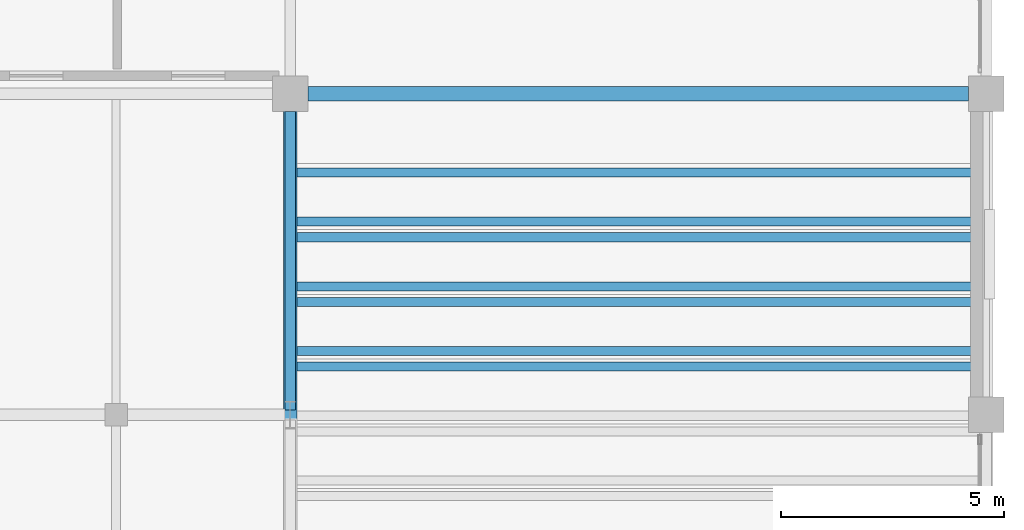
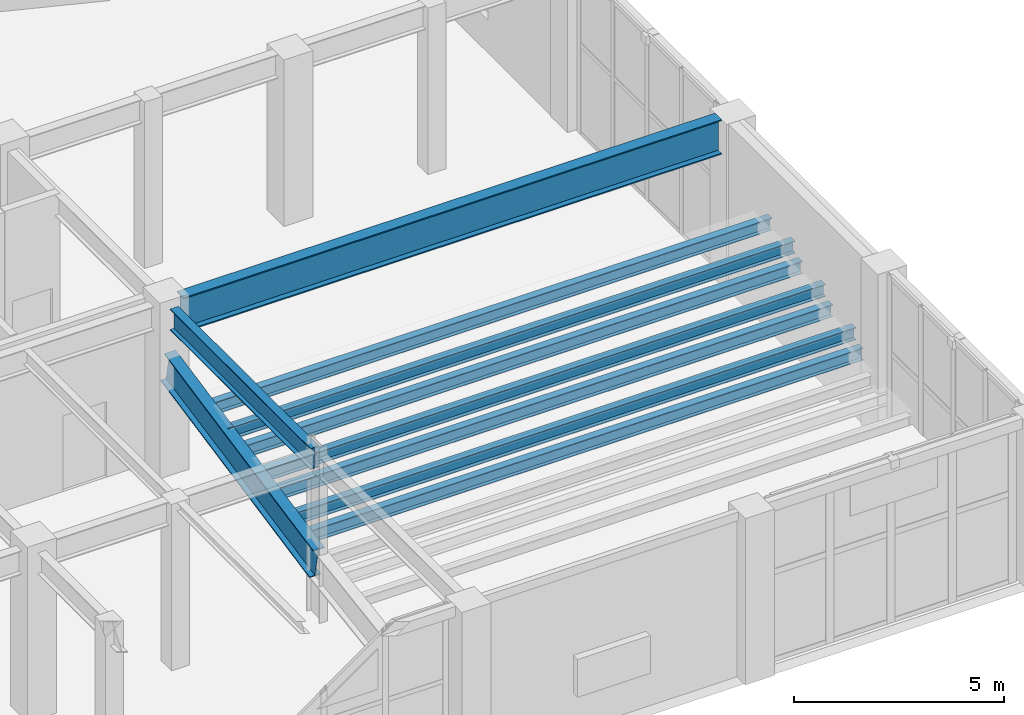
# One storey, part 81 of 128: 10 beams.
"""IFC4 building model written with IfcOpenShell, lengths in metres."""

import ifcopenshell
import ifcopenshell.guid

model = None  # the IFC model being written
_history = None  # IfcOwnerHistory: only IFC2X3 demands one
_inside = {}  # id of a spatial element -> (the spatial element, [elements in it])
_under = {}  # id of a project, library or spatial element -> (it, [spatial elements below it])
_declared = {}  # id of a project -> (the project, [libraries it declares])
_typed = {}  # id of a type object -> (the type object, [elements of that type])
_made_of = {}  # id of a material, layer set ... -> (it, [elements and type objects made of it])


def new_model(schema):
    """Start an empty IFC model of exactly this schema.

    Asked for "IFC4X3", IfcOpenShell would pick the latest addendum, in which some entities
    have other attributes; the version numbers below select the first issue.
    IFC2X3 requires an IfcOwnerHistory on every rooted entity: one is made here for all.
    """
    global model, _history
    if schema == "IFC4X3":
        model = ifcopenshell.file(schema_version=(4, 3, 0, 0))
    else:
        model = ifcopenshell.file(schema=schema)
    _inside.clear()
    _under.clear()
    _declared.clear()
    _typed.clear()
    _made_of.clear()
    _history = None
    if model.schema == "IFC2X3":
        org = make("IfcOrganization", Name="unknown")
        user = make(
            "IfcPersonAndOrganization",
            ThePerson=make("IfcPerson", FamilyName="unknown"),
            TheOrganization=org,
        )
        app = make(
            "IfcApplication",
            ApplicationDeveloper=org,
            Version="unknown",
            ApplicationFullName="unknown",
            ApplicationIdentifier="unknown",
        )
        _history = make(
            "IfcOwnerHistory",
            OwningUser=user,
            OwningApplication=app,
            ChangeAction="ADDED",
            CreationDate=0,
        )
    return model


def make(cls, **values):
    """One entity of the class cls with the attributes given. An attribute that is None is left unset."""
    return model.create_entity(
        cls, **{name: value for name, value in values.items() if value is not None}
    )


def rooted(cls, **values):
    """An entity with a GlobalId (a new one), such as an element, a storey or a relation."""
    return make(cls, GlobalId=ifcopenshell.guid.new(), OwnerHistory=_history, **values)


def si_unit(unit_type, name, prefix=None):
    """IfcSIUnit, for example si_unit("LENGTHUNIT", "METRE", prefix="MILLI")."""
    return make("IfcSIUnit", UnitType=unit_type, Prefix=prefix, Name=name)


def assignment(units):
    """IfcUnitAssignment: the units of a project."""
    return None if units is None else make("IfcUnitAssignment", Units=units)


def point(xyz):
    """IfcCartesianPoint."""
    return None if xyz is None else make("IfcCartesianPoint", Coordinates=xyz)


def direction(xyz):
    """IfcDirection."""
    return None if xyz is None else make("IfcDirection", DirectionRatios=xyz)


def frame(location, z_axis=None, x_axis=None):
    """IfcAxis2Placement3D, a coordinate frame: its origin and axes. An axis left out is left unset."""
    return make(
        "IfcAxis2Placement3D",
        Location=point(location),
        Axis=direction(z_axis),
        RefDirection=direction(x_axis),
    )


def frame_2d(location, x_axis=None):
    """IfcAxis2Placement2D, a coordinate frame in the plane: its origin and x axis."""
    return make(
        "IfcAxis2Placement2D", Location=point(location), RefDirection=direction(x_axis)
    )


def origin():
    """The frame at (0, 0, 0) with its axes left unset."""
    return frame((0.0, 0.0, 0.0))


def origin_2d():
    """The frame at (0, 0) in the plane with its x axis left unset."""
    return frame_2d((0.0, 0.0))


def place(relative_to, where):
    """IfcLocalPlacement: puts the frame where relative to a parent placement (None: the world)."""
    return make(
        "IfcLocalPlacement", PlacementRelTo=relative_to, RelativePlacement=where
    )


def context(
    kind, dimensions, precision=None, world=None, true_north=None, identifier=None
):
    """IfcGeometricRepresentationContext, for example the 3D "Model" context."""
    return make(
        "IfcGeometricRepresentationContext",
        ContextIdentifier=identifier,
        ContextType=kind,
        CoordinateSpaceDimension=dimensions,
        Precision=precision,
        WorldCoordinateSystem=world,
        TrueNorth=true_north,
    )


def subcontext(parent, identifier, kind, view, scale=None):
    """IfcGeometricRepresentationSubContext, for example "Body" below "Model"."""
    return make(
        "IfcGeometricRepresentationSubContext",
        ContextIdentifier=identifier,
        ContextType=kind,
        ParentContext=parent,
        TargetScale=scale,
        TargetView=view,
    )


def project(units=None, contexts=None):
    """IfcProject with its units and contexts."""
    return rooted(
        "IfcProject",
        Name="project",
        RepresentationContexts=contexts,
        UnitsInContext=assignment(units),
    )


def spatial(cls, under=None, at=None, **own):
    """A site, building, storey or space (cls), placed at a placement, below another one or the project."""
    s = rooted(cls, ObjectPlacement=at, **own)
    if under is not None:
        _under.setdefault(under.id(), (under, []))[1].append(s)
    return s


def profile(cls, at=None, kind="AREA", **sizes):
    """A parametric profile (cls). Its sizes go by their IFC names, for example OverallWidth=200.0."""
    return make(cls, ProfileType=kind, Position=at, **sizes)


def i_section(**sizes):
    """IfcIShapeProfileDef."""
    return profile("IfcIShapeProfileDef", **sizes)


def extrude(swept, where, along, depth):
    """IfcExtrudedAreaSolid: the profile swept, set in the frame where, extruded along a direction by depth."""
    return make(
        "IfcExtrudedAreaSolid",
        SweptArea=swept,
        Position=where,
        ExtrudedDirection=direction(along),
        Depth=depth,
    )


def shape(context_of_items, identifier, shape_type, items):
    """IfcShapeRepresentation: the items that make up one representation, for example the "Body"."""
    return make(
        "IfcShapeRepresentation",
        ContextOfItems=context_of_items,
        RepresentationIdentifier=identifier,
        RepresentationType=shape_type,
        Items=items,
    )


def material(Name=None, Category=None):
    """IfcMaterial."""
    return make("IfcMaterial", Name=Name, Category=Category)


def material_profile(
    of_material, cross_section, Name=None, Category=None, Priority=None
):
    """IfcMaterialProfile: a cross section and its material."""
    return make(
        "IfcMaterialProfile",
        Name=Name,
        Material=of_material,
        Profile=cross_section,
        Priority=Priority,
        Category=Category,
    )


def profile_set(profiles, Name=None, composite=None):
    """IfcMaterialProfileSet."""
    return make(
        "IfcMaterialProfileSet",
        Name=Name,
        MaterialProfiles=profiles,
        CompositeProfile=composite,
    )


def made_of(thing, what):
    """Note that an element or type object is made of a material, layer set ...; save() writes the relation."""
    if what is not None:
        _made_of.setdefault(what.id(), (what, []))[1].append(thing)
    return thing


def type_object(cls, material=None, **own):
    """A type object (cls), such as IfcWallType, which elements share."""
    return made_of(rooted(cls, **own), material)


def element(
    cls,
    number,
    at=None,
    inside=None,
    cuts=None,
    type_object=None,
    material=None,
    context=None,
    identifier="Body",
    shape_type=None,
    held_by="IfcProductDefinitionShape",
    body=None,
    shapes=None,
    **own,
):
    """One element of the class cls, such as IfcWall. Its Tag is "e" and its number.

    at: its placement. inside: the storey or other place that contains it. cuts: it is an
    opening in that element (IfcRelVoidsElement). A single representation is given by context,
    identifier, shape_type and body (its items); several are given by shapes. held_by: the class
    of the entity that holds the representations. save() writes the other relations.
    """
    e = rooted(cls, Tag="e%d" % number, ObjectPlacement=at, **own)
    if body is not None:
        shapes = [shape(context, identifier, shape_type, body)]
    if shapes is not None:
        e.Representation = make(held_by, Representations=shapes)
    if inside is not None:
        _inside.setdefault(inside.id(), (inside, []))[1].append(e)
    if cuts is not None:
        rooted(
            "IfcRelVoidsElement", RelatingBuildingElement=cuts, RelatedOpeningElement=e
        )
    if type_object is not None:
        _typed.setdefault(type_object.id(), (type_object, []))[1].append(e)
    return made_of(e, material)


def aggregate(whole, parts):
    """IfcRelAggregates: a whole, such as a stair, and the parts it consists of."""
    return rooted("IfcRelAggregates", RelatingObject=whole, RelatedObjects=parts)


def save(model, path):
    """Write the relations noted so far, then the file.

    IfcRelAggregates (storeys below a building ...), IfcRelContainedInSpatialStructure (elements
    in a storey), IfcRelDefinesByType, IfcRelAssociatesMaterial and IfcRelDeclares: one each for
    every whole, place, type object, material and project.
    """
    for whole, parts in _under.values():
        aggregate(whole, parts)
    for where, things in _inside.values():
        rooted(
            "IfcRelContainedInSpatialStructure",
            RelatedElements=things,
            RelatingStructure=where,
        )
    for kind, things in _typed.values():
        rooted("IfcRelDefinesByType", RelatedObjects=things, RelatingType=kind)
    for what, things in _made_of.values():
        rooted("IfcRelAssociatesMaterial", RelatedObjects=things, RelatingMaterial=what)
    for by, libraries in _declared.values():
        rooted("IfcRelDeclares", RelatingContext=by, RelatedDefinitions=libraries)
    model.write(path)


model = new_model("IFC4")

# Units and contexts
model_context = context("Model", 3, precision=1e-05, world=origin(), true_north=direction((0.0, 1.0)))
body_context = subcontext(model_context, "Body", "Model", "MODEL_VIEW")
ifc_project = project(units=[si_unit("LENGTHUNIT", "METRE"), si_unit("AREAUNIT", "SQUARE_METRE"), si_unit("VOLUMEUNIT", "CUBIC_METRE"), si_unit("PLANEANGLEUNIT", "RADIAN"), si_unit("MASSUNIT", "GRAM", prefix="KILO")], contexts=[model_context])

# Site, building, storey
site_placement = place(None, origin())
site = spatial("IfcSite", under=ifc_project, at=site_placement, CompositionType="ELEMENT")
building_placement = place(site_placement, origin())
building = spatial("IfcBuilding", under=site, at=building_placement, Name="Xicomal Pleat Aquarium", CompositionType="ELEMENT")
storey_placement = place(building_placement, frame((0.0, 0.0, 5.39990234375)))
storey = spatial("IfcBuildingStorey", under=building, at=storey_placement, Name="L02", CompositionType="ELEMENT", Elevation=5.39990234375)

# Beams
ifc_material_1 = material(Name="Structural steel A992 Gr 50", Category="steel")
ifc_material_profile_1 = material_profile(ifc_material_1, i_section(OverallWidth=0.320068359375, OverallDepth=1.008056640625, WebThickness=0.01953125, FlangeThickness=0.033935546875, at=origin_2d()), Name="IR 1000x321")
ifc_profile_set_1 = profile_set([ifc_material_profile_1], Name="Structural steel A992 Gr 50")
beam_type_1 = type_object("IfcBeamType", Name="BM-STL-IR1000", PredefinedType="BEAM", material=ifc_profile_set_1)
beam_1_placement = place(storey_placement, frame((149.794921875, 15.199951171875, 4.336181640625), z_axis=(1.0, 0.0, 0.0), x_axis=(0.0, 1.0, 0.0)))
element("IfcBeam", 1, at=beam_1_placement, inside=storey, type_object=beam_type_1, Name="L02 framing beam FGX-L02-19-21-C", PredefinedType="BEAM", context=body_context, shape_type="SweptSolid", body=[
    extrude(i_section(OverallWidth=0.320068359375, OverallDepth=1.008056640625, WebThickness=0.01953125, FlangeThickness=0.033935546875, at=origin_2d()), origin(), (0.0, 0.0, 1.0), 14.81005859375),
])
ifc_material_2 = material(Name="Structural steel A992 Gr 50", Category="steel")
ifc_material_profile_2 = material_profile(ifc_material_2, i_section(OverallWidth=0.205078125, OverallDepth=0.35400390625, WebThickness=0.009521484375, FlangeThickness=0.016845703125, at=origin_2d()), Name="IR 360x79")
ifc_profile_set_2 = profile_set([ifc_material_profile_2], Name="Structural steel A992 Gr 50")
beam_type_2 = type_object("IfcBeamType", Name="BM-STL-IR360", PredefinedType="JOIST", material=ifc_profile_set_2)
for number, where, z_axis, x_axis, name in (
    (2, (149.39990234375, 9.080078125, 1.56005859375), (1.0, 0.0, 0.0), (0.0, 1.0, 0.0), "Auditorium seating tier cross beam 5B"),
    (3, (149.39990234375, 9.429931640625, 1.940185546875), (1.0, 0.0, 0.0), (0.0, 1.0, 0.0), "Auditorium seating tier cross beam 6A"),
    (4, (149.39990234375, 10.530029296875, 1.940185546875), (1.0, 0.0, 0.0), (0.0, 1.0, 0.0), "Auditorium seating tier cross beam 6B"),
    (5, (149.39990234375, 10.8798828125, 2.320068359375), (1.0, 0.0, 0.0), (0.0, 1.0, 0.0), "Auditorium seating tier cross beam 7A"),
    (6, (149.39990234375, 11.97998046875, 2.320068359375), (1.0, 0.0, 0.0), (0.0, 1.0, 0.0), "Auditorium seating tier cross beam 7B"),
    (7, (149.39990234375, 12.330078125, 2.7001953125), (1.0, 0.0, 0.0), (0.0, 1.0, 0.0), "Auditorium seating tier cross beam 8A"),
    (8, (149.39990234375, 13.429931640625, 2.7001953125), (1.0, 0.0, 0.0), (0.0, 1.0, 0.0), "Auditorium seating tier cross beam 8B"),
):
    element("IfcBeam", number, at=place(storey_placement, frame(where, z_axis=z_axis, x_axis=x_axis)), inside=storey, type_object=beam_type_2, Name=name, PredefinedType="JOIST", context=body_context, shape_type="SweptSolid", body=[
        extrude(i_section(OverallWidth=0.205078125, OverallDepth=0.35400390625, WebThickness=0.009521484375, FlangeThickness=0.016845703125, at=origin_2d()), origin(), (0.0, 0.0, 1.0), 15.60009765625),
    ])
ifc_material_3 = material(Name="Structural steel A992 Gr 50", Category="steel")
ifc_material_profile_3 = material_profile(ifc_material_3, i_section(OverallWidth=0.22998046875, OverallDepth=0.616943359375, WebThickness=0.01318359375, FlangeThickness=0.022216796875, at=origin_2d()), Name="IR 610x140")
ifc_profile_set_3 = profile_set([ifc_material_profile_3], Name="Structural steel A992 Gr 50")
beam_type_3 = type_object("IfcBeamType", Name="BM-STL-IR610", PredefinedType="BEAM", material=ifc_profile_set_3)
beam_2_placement = place(storey_placement, frame((149.39990234375, 8.110107421875, 4.531494140625), z_axis=(0.0, 1.0, 0.0), x_axis=(-1.0, 0.0, 0.0)))
element("IfcBeam", 9, at=beam_2_placement, inside=storey, type_object=beam_type_3, Name="L02 framing beam FGY-L02-19-B-C", PredefinedType="BEAM", context=body_context, shape_type="SweptSolid", body=[
    extrude(i_section(OverallWidth=0.22998046875, OverallDepth=0.616943359375, WebThickness=0.01318359375, FlangeThickness=0.022216796875, at=origin_2d()), origin(), (0.0, 0.0, 1.0), 6.69482421875),
])
ifc_material_4 = material(Name="Structural steel A992 Gr 50", Category="steel")
ifc_material_profile_4 = material_profile(ifc_material_4, i_section(OverallWidth=0.306884765625, OverallDepth=0.923095703125, WebThickness=0.018310546875, FlangeThickness=0.030029296875, at=origin_2d()), Name="IR 920x271")
ifc_profile_set_4 = profile_set([ifc_material_profile_4], Name="Structural steel A992 Gr 50")
beam_type_4 = type_object("IfcBeamType", Name="BM-STL-IR920", PredefinedType="BEAM", material=ifc_profile_set_4)
beam_3_placement = place(storey_placement, frame((149.39990234375, 8.0, 1.550048828125), z_axis=(0.0, 0.98031660549, 0.197431894586), x_axis=(-1.0, 0.0, 0.0)))
element("IfcBeam", 10, at=beam_3_placement, inside=storey, type_object=beam_type_4, Name="Auditorium raked tier girder 19 north", PredefinedType="BEAM", context=body_context, shape_type="SweptSolid", body=[
    extrude(i_section(OverallWidth=0.306884765625, OverallDepth=0.923095703125, WebThickness=0.018310546875, FlangeThickness=0.030029296875, at=origin_2d()), origin(), (0.0, 0.0, 1.0), 7.24267578125),
])

save(model, "model.ifc")
